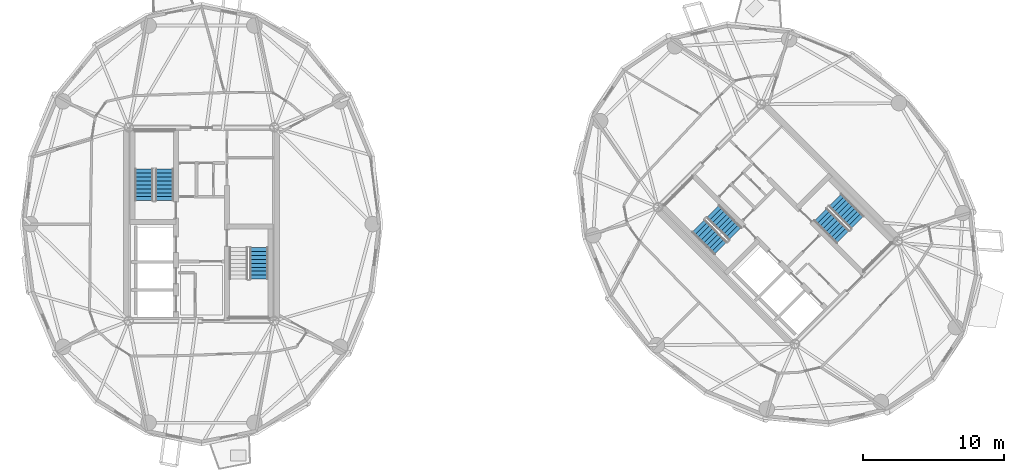
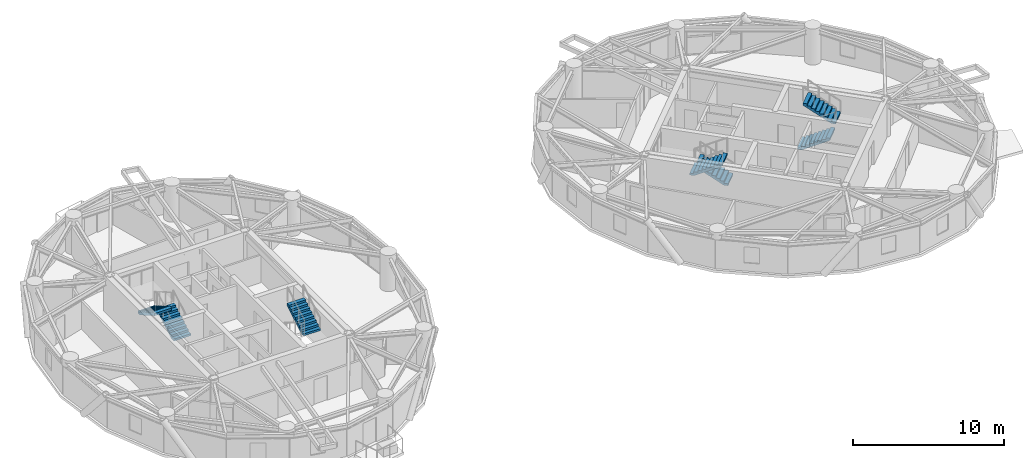
# One storey, part 14 of 17: 7 stair flights, 4 elements without a shape of their own.
"""IFC4 building model written with IfcOpenShell, lengths in metres."""

from ifc_helpers import new_model, si_unit, direction, frame, origin, place, context, subcontext, project, spatial, polyline, outline, extrude, material, type_object, element, aggregate, save


model = new_model("IFC4")

# Units and contexts
model_context = context("Model", 3, precision=1e-05, world=origin(), true_north=direction((0.0, 1.0)))
body_context = subcontext(model_context, "Body", "Model", "MODEL_VIEW")
ifc_project = project(units=[si_unit("LENGTHUNIT", "METRE"), si_unit("AREAUNIT", "SQUARE_METRE"), si_unit("VOLUMEUNIT", "CUBIC_METRE"), si_unit("PLANEANGLEUNIT", "RADIAN"), si_unit("MASSUNIT", "GRAM", prefix="KILO")], contexts=[model_context])

# Site, building, storey
site_placement = place(None, origin())
site = spatial("IfcSite", under=ifc_project, at=site_placement, CompositionType="ELEMENT")
building_placement = place(site_placement, origin())
building = spatial("IfcBuilding", under=site, at=building_placement, Name="Cununo Teusaquillo Station Towers", CompositionType="ELEMENT")
storey_placement = place(building_placement, frame((0.0, 0.0, 205.389892578125)))
storey = spatial("IfcBuildingStorey", under=building, at=storey_placement, Name="L65", CompositionType="ELEMENT", Elevation=205.389892578125)

# Stair, stair flights
ifc_material_1 = material(Name="Concrete C50/60", Category="concrete")
stair_type = type_object("IfcStairType", Name="ST-TWR-1300", PredefinedType="HALF_TURN_STAIR", material=ifc_material_1)
stair_1_placement = place(storey_placement, origin())
stair_1 = element("IfcStair", 1, at=stair_1_placement, inside=storey, type_object=stair_type, Name="L65 Tower A Protected Core Exit Stair 1", PredefinedType="HALF_TURN_STAIR")
ifc_material_2 = material(Name="Concrete C50/60", Category="concrete")
stair_flight_type = type_object("IfcStairFlightType", Name="SFL-TWR-1300", PredefinedType="STRAIGHT", material=ifc_material_2)
stair_flight_1_placement = place(storey_placement, frame((13.8701171875, 26.169921875, 0.0), z_axis=(0.0, 0.0, 1.0), x_axis=(0.0, 1.0, 0.0)))
stair_flight_1 = element("IfcStairFlight", 2, at=stair_flight_1_placement, type_object=stair_flight_type, Name="ST-T1-1 flight 1", NumberOfRisers=9, NumberOfTreads=8, PredefinedType="STRAIGHT", RiserHeight=0.161666667, TreadLength=0.28, context=body_context, shape_type="SweptSolid", body=[
    extrude(outline(polyline([(0.0, 0.0), (0.0, 0.16162109375), (0.280029296875, 0.16162109375), (0.280029296875, 0.3232421875), (0.56005859375, 0.3232421875), (0.56005859375, 0.485107421875), (0.840087890625, 0.485107421875), (0.840087890625, 0.646728515625), (1.1201171875, 0.646728515625), (1.1201171875, 0.808349609375), (1.39990234375, 0.808349609375), (1.39990234375, 0.969970703125), (1.679931640625, 0.969970703125), (1.679931640625, 1.131591796875), (1.9599609375, 1.131591796875), (1.9599609375, 1.293212890625), (2.239990234375, 1.293212890625), (2.239990234375, 1.455078125), (2.239990234375, 1.1201171875), (0.2998046875, 0.0), (0.0, 0.0)])), frame((0.0, 0.64990234375, 0.0), z_axis=(0.0, -1.0, 0.0), x_axis=(1.0, 0.0, 0.0)), (0.0, 0.0, 1.0), 1.300048828125),
])
stair_flight_2_placement = place(storey_placement, frame((12.409912109375, 28.409912109375, 1.455078125), z_axis=(0.0, 0.0, 1.0), x_axis=(0.0, -1.0, 0.0)))
stair_flight_2 = element("IfcStairFlight", 3, at=stair_flight_2_placement, type_object=stair_flight_type, Name="ST-T1-1 flight 2", NumberOfRisers=9, NumberOfTreads=8, PredefinedType="STRAIGHT", RiserHeight=0.161666667, TreadLength=0.28, context=body_context, shape_type="SweptSolid", body=[
    extrude(outline(polyline([(0.0, 0.0), (0.0, 0.16162109375), (0.280029296875, 0.16162109375), (0.280029296875, 0.3232421875), (0.56005859375, 0.3232421875), (0.56005859375, 0.485107421875), (0.840087890625, 0.485107421875), (0.840087890625, 0.646728515625), (1.1201171875, 0.646728515625), (1.1201171875, 0.808349609375), (1.39990234375, 0.808349609375), (1.39990234375, 0.969970703125), (1.679931640625, 0.969970703125), (1.679931640625, 1.131591796875), (1.9599609375, 1.131591796875), (1.9599609375, 1.293212890625), (2.239990234375, 1.293212890625), (2.239990234375, 1.455078125), (2.239990234375, 1.1201171875), (0.2998046875, 0.0), (0.0, 0.0)])), frame((0.0, 0.64990234375, 0.0), z_axis=(0.0, -1.0, 0.0), x_axis=(1.0, 0.0, 0.0)), (0.0, 0.0, 1.0), 1.300048828125),
])
aggregate(stair_1, [stair_flight_1, stair_flight_2])

# Stair, stair flight
stair_2_placement = place(storey_placement, origin())
stair_2 = element("IfcStair", 4, at=stair_2_placement, inside=storey, type_object=stair_type, Name="L65 Tower A Protected Core Exit Stair 2", PredefinedType="HALF_TURN_STAIR")
stair_flight_3_placement = place(storey_placement, frame((20.590087890625, 20.590087890625, 1.455078125), z_axis=(0.0, 0.0, 1.0), x_axis=(0.0, 1.0, 0.0)))
stair_flight_3 = element("IfcStairFlight", 5, at=stair_flight_3_placement, type_object=stair_flight_type, Name="ST-T1-2 flight 2", NumberOfRisers=9, NumberOfTreads=8, PredefinedType="STRAIGHT", RiserHeight=0.161666667, TreadLength=0.28, context=body_context, shape_type="SweptSolid", body=[
    extrude(outline(polyline([(0.0, 0.0), (0.0, 0.16162109375), (0.280029296875, 0.16162109375), (0.280029296875, 0.3232421875), (0.56005859375, 0.3232421875), (0.56005859375, 0.485107421875), (0.840087890625, 0.485107421875), (0.840087890625, 0.646728515625), (1.1201171875, 0.646728515625), (1.1201171875, 0.808349609375), (1.39990234375, 0.808349609375), (1.39990234375, 0.969970703125), (1.679931640625, 0.969970703125), (1.679931640625, 1.131591796875), (1.9599609375, 1.131591796875), (1.9599609375, 1.293212890625), (2.239990234375, 1.293212890625), (2.239990234375, 1.455078125), (2.239990234375, 1.1201171875), (0.2998046875, 0.0), (0.0, 0.0)])), frame((0.0, 0.64990234375, 0.0), z_axis=(0.0, -1.0, 0.0), x_axis=(1.0, 0.0, 0.0)), (0.0, 0.0, 1.0), 1.300048828125),
])
aggregate(stair_2, [stair_flight_3])

# Stair, stair flights
stair_3_placement = place(storey_placement, origin())
stair_3 = element("IfcStair", 6, at=stair_3_placement, inside=storey, type_object=stair_type, Name="L65 Tower B Protected Core Exit Stair 1", PredefinedType="HALF_TURN_STAIR")
stair_flight_4_placement = place(storey_placement, frame((54.45947265625, 23.8212890625, 0.0), z_axis=(0.0, 0.0, 1.0), x_axis=(-0.707106781187, 0.707106781187, 0.0)))
stair_flight_4 = element("IfcStairFlight", 7, at=stair_flight_4_placement, type_object=stair_flight_type, Name="ST-T2-1 flight 1", NumberOfRisers=9, NumberOfTreads=8, PredefinedType="STRAIGHT", RiserHeight=0.161666667, TreadLength=0.28, context=body_context, shape_type="SweptSolid", body=[
    extrude(outline(polyline([(0.0, 0.0), (0.0, 0.16162109375), (0.280029296875, 0.16162109375), (0.280029296875, 0.3232421875), (0.56005859375, 0.3232421875), (0.56005859375, 0.485107421875), (0.840087890625, 0.485107421875), (0.840087890625, 0.646728515625), (1.1201171875, 0.646728515625), (1.1201171875, 0.808349609375), (1.39990234375, 0.808349609375), (1.39990234375, 0.969970703125), (1.679931640625, 0.969970703125), (1.679931640625, 1.131591796875), (1.9599609375, 1.131591796875), (1.9599609375, 1.293212890625), (2.239990234375, 1.293212890625), (2.239990234375, 1.455078125), (2.239990234375, 1.1201171875), (0.2998046875, 0.0), (0.0, 0.0)])), frame((0.0, 0.64990234375, 0.0), z_axis=(0.0, -1.0, 0.0), x_axis=(1.0, 0.0, 0.0)), (0.0, 0.0, 1.0), 1.300048828125),
])
stair_flight_5_placement = place(storey_placement, frame((51.84326171875, 24.372802734375, 1.455078125), z_axis=(0.0, 0.0, 1.0), x_axis=(0.707106781187, -0.707106781187, 0.0)))
stair_flight_5 = element("IfcStairFlight", 8, at=stair_flight_5_placement, type_object=stair_flight_type, Name="ST-T2-1 flight 2", NumberOfRisers=9, NumberOfTreads=8, PredefinedType="STRAIGHT", RiserHeight=0.161666667, TreadLength=0.28, context=body_context, shape_type="SweptSolid", body=[
    extrude(outline(polyline([(0.0, 0.0), (0.0, 0.16162109375), (0.280029296875, 0.16162109375), (0.280029296875, 0.3232421875), (0.56005859375, 0.3232421875), (0.56005859375, 0.485107421875), (0.840087890625, 0.485107421875), (0.840087890625, 0.646728515625), (1.1201171875, 0.646728515625), (1.1201171875, 0.808349609375), (1.39990234375, 0.808349609375), (1.39990234375, 0.969970703125), (1.679931640625, 0.969970703125), (1.679931640625, 1.131591796875), (1.9599609375, 1.131591796875), (1.9599609375, 1.293212890625), (2.239990234375, 1.293212890625), (2.239990234375, 1.455078125), (2.239990234375, 1.1201171875), (0.2998046875, 0.0), (0.0, 0.0)])), frame((0.0, 0.64990234375, 0.0), z_axis=(0.0, -1.0, 0.0), x_axis=(1.0, 0.0, 0.0)), (0.0, 0.0, 1.0), 1.300048828125),
])
aggregate(stair_3, [stair_flight_4, stair_flight_5])

stair_4_placement = place(storey_placement, origin())
stair_4 = element("IfcStair", 9, at=stair_4_placement, inside=storey, type_object=stair_type, Name="L65 Tower B Protected Core Exit Stair 2", PredefinedType="HALF_TURN_STAIR")
stair_flight_6_placement = place(storey_placement, frame((60.54052734375, 25.1787109375, 0.0), z_axis=(0.0, 0.0, 1.0), x_axis=(0.707106781187, -0.707106781187, 0.0)))
stair_flight_6 = element("IfcStairFlight", 10, at=stair_flight_6_placement, type_object=stair_flight_type, Name="ST-T2-2 flight 1", NumberOfRisers=9, NumberOfTreads=8, PredefinedType="STRAIGHT", RiserHeight=0.161666667, TreadLength=0.28, context=body_context, shape_type="SweptSolid", body=[
    extrude(outline(polyline([(0.0, 0.0), (0.0, 0.16162109375), (0.280029296875, 0.16162109375), (0.280029296875, 0.3232421875), (0.56005859375, 0.3232421875), (0.56005859375, 0.485107421875), (0.840087890625, 0.485107421875), (0.840087890625, 0.646728515625), (1.1201171875, 0.646728515625), (1.1201171875, 0.808349609375), (1.39990234375, 0.808349609375), (1.39990234375, 0.969970703125), (1.679931640625, 0.969970703125), (1.679931640625, 1.131591796875), (1.9599609375, 1.131591796875), (1.9599609375, 1.293212890625), (2.239990234375, 1.293212890625), (2.239990234375, 1.455078125), (2.239990234375, 1.1201171875), (0.2998046875, 0.0), (0.0, 0.0)])), frame((0.0, 0.64990234375, 0.0), z_axis=(0.0, -1.0, 0.0), x_axis=(1.0, 0.0, 0.0)), (0.0, 0.0, 1.0), 1.300048828125),
])
stair_flight_7_placement = place(storey_placement, frame((63.15673828125, 24.627197265625, 1.455078125), z_axis=(0.0, 0.0, 1.0), x_axis=(-0.707106781187, 0.707106781187, 0.0)))
stair_flight_7 = element("IfcStairFlight", 11, at=stair_flight_7_placement, type_object=stair_flight_type, Name="ST-T2-2 flight 2", NumberOfRisers=9, NumberOfTreads=8, PredefinedType="STRAIGHT", RiserHeight=0.161666667, TreadLength=0.28, context=body_context, shape_type="SweptSolid", body=[
    extrude(outline(polyline([(0.0, 0.0), (0.0, 0.16162109375), (0.280029296875, 0.16162109375), (0.280029296875, 0.3232421875), (0.56005859375, 0.3232421875), (0.56005859375, 0.485107421875), (0.840087890625, 0.485107421875), (0.840087890625, 0.646728515625), (1.1201171875, 0.646728515625), (1.1201171875, 0.808349609375), (1.39990234375, 0.808349609375), (1.39990234375, 0.969970703125), (1.679931640625, 0.969970703125), (1.679931640625, 1.131591796875), (1.9599609375, 1.131591796875), (1.9599609375, 1.293212890625), (2.239990234375, 1.293212890625), (2.239990234375, 1.455078125), (2.239990234375, 1.1201171875), (0.2998046875, 0.0), (0.0, 0.0)])), frame((0.0, 0.64990234375, 0.0), z_axis=(0.0, -1.0, 0.0), x_axis=(1.0, 0.0, 0.0)), (0.0, 0.0, 1.0), 1.300048828125),
])
aggregate(stair_4, [stair_flight_6, stair_flight_7])

save(model, "model.ifc")
